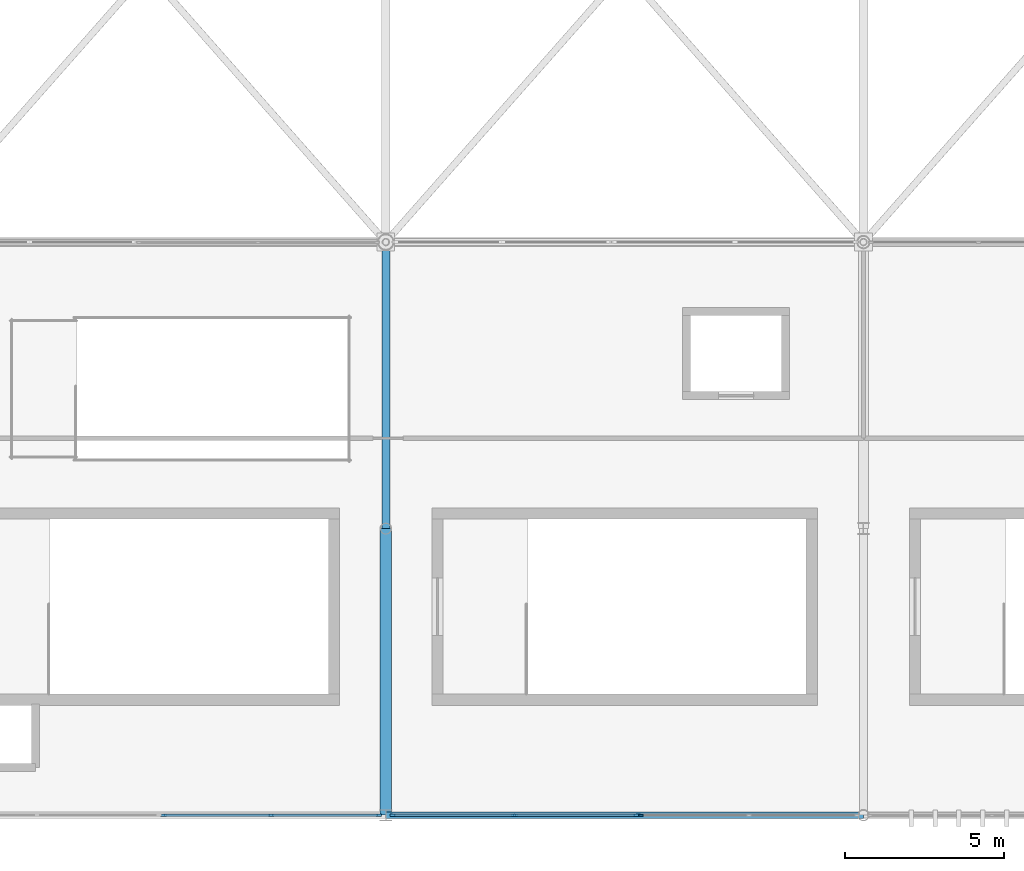
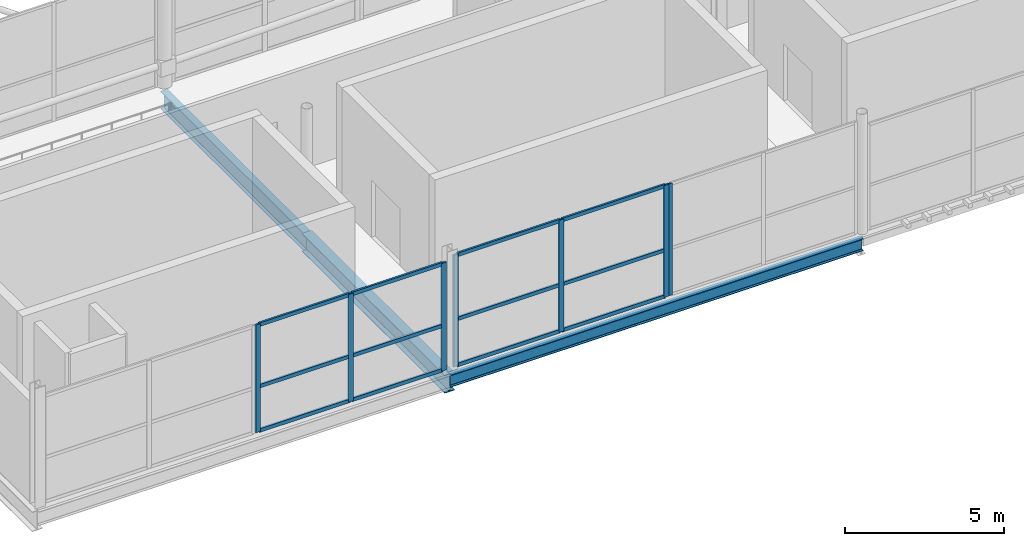
# One storey, part 43 of 224: 19 members, 3 beams, 3 elements without a shape of their own.
"""IFC4 building model written with IfcOpenShell, lengths in metres."""

from ifc_helpers import new_model, si_unit, direction, frame, origin, origin_2d, place, context, subcontext, project, spatial, rectangle, i_section, extrude, material, layer, layer_set, material_profile, profile_set, type_object, element, aggregate, save


model = new_model("IFC4")

# Units and contexts
model_context = context("Model", 3, precision=1e-05, world=origin(), true_north=direction((0.0, 1.0)))
body_context = subcontext(model_context, "Body", "Model", "MODEL_VIEW")
ifc_project = project(units=[si_unit("LENGTHUNIT", "METRE"), si_unit("AREAUNIT", "SQUARE_METRE"), si_unit("VOLUMEUNIT", "CUBIC_METRE"), si_unit("PLANEANGLEUNIT", "RADIAN"), si_unit("MASSUNIT", "GRAM", prefix="KILO")], contexts=[model_context])

# Site, building, storey
site_placement = place(None, origin())
site = spatial("IfcSite", under=ifc_project, at=site_placement, CompositionType="ELEMENT")
building_placement = place(site_placement, origin())
building = spatial("IfcBuilding", under=site, at=building_placement, Name="Qamarlyn Nura Convention Centre", CompositionType="ELEMENT")
storey_placement = place(building_placement, frame((0.0, 0.0, 10.800048828125)))
storey = spatial("IfcBuildingStorey", under=building, at=storey_placement, Name="L02", CompositionType="ELEMENT", Elevation=10.800048828125)

# Beams
ifc_material_1 = material(Name="Steel ASTM A992", Category="steel")
ifc_material_profile_1 = material_profile(ifc_material_1, i_section(OverallWidth=0.35498046875, OverallDepth=0.695068359375, WebThickness=0.015380859375, FlangeThickness=0.02490234375, FilletRadius=0.01806640625, at=origin_2d()), Name="W690X217")
ifc_profile_set_1 = profile_set([ifc_material_profile_1], Name="Steel ASTM A992")
beam_type_1 = type_object("IfcBeamType", Name="BM-GIRD-690A", PredefinedType="BEAM", material=ifc_profile_set_1)
beam_1_placement = place(storey_placement, frame((75.0, 0.0, -0.567626953125), z_axis=(0.0, 1.0, 0.0), x_axis=(-1.0, 0.0, 0.0)))
element("IfcBeam", 1, at=beam_1_placement, inside=storey, type_object=beam_type_1, Name="L02 girder 6 A-B", PredefinedType="BEAM", context=body_context, shape_type="SweptSolid", body=[
    extrude(i_section(OverallWidth=0.35498046875, OverallDepth=0.695068359375, WebThickness=0.015380859375, FlangeThickness=0.02490234375, FilletRadius=0.01806640625, at=origin_2d()), origin(), (0.0, 0.0, 1.0), 9.0),
])
ifc_material_profile_2 = material_profile(ifc_material_1, i_section(OverallWidth=0.25390625, OverallDepth=0.68408203125, WebThickness=0.012451171875, FlangeThickness=0.01904296875, FilletRadius=0.01806640625, at=origin_2d()), Name="W690X140")
ifc_profile_set_2 = profile_set([ifc_material_profile_2], Name="Steel ASTM A992")
beam_type_2 = type_object("IfcBeamType", Name="BM-GIRD-690B", PredefinedType="BEAM", material=ifc_profile_set_2)
beam_2_placement = place(storey_placement, frame((75.0, 9.0, -0.56201171875), z_axis=(0.0, 1.0, 0.0), x_axis=(-1.0, 0.0, 0.0)))
element("IfcBeam", 2, at=beam_2_placement, inside=storey, type_object=beam_type_2, Name="L02 girder 6 B-C", PredefinedType="BEAM", context=body_context, shape_type="SweptSolid", body=[
    extrude(i_section(OverallWidth=0.25390625, OverallDepth=0.68408203125, WebThickness=0.012451171875, FlangeThickness=0.01904296875, FilletRadius=0.01806640625, at=origin_2d()), origin(), (0.0, 0.0, 1.0), 9.0),
])
ifc_material_profile_3 = material_profile(ifc_material_1, i_section(OverallWidth=0.193115234375, OverallDepth=0.466064453125, WebThickness=0.011474609375, FlangeThickness=0.01904296875, FilletRadius=0.012939453125, at=origin_2d()), Name="W460X97")
ifc_profile_set_3 = profile_set([ifc_material_profile_3], Name="Steel ASTM A992")
beam_type_3 = type_object("IfcBeamType", Name="BM-SPAN-460", PredefinedType="SPANDREL", material=ifc_profile_set_3)
beam_3_placement = place(storey_placement, frame((75.0, 0.0, -0.453125), z_axis=(1.0, 0.0, 0.0), x_axis=(0.0, 1.0, 0.0)))
element("IfcBeam", 3, at=beam_3_placement, inside=storey, type_object=beam_type_3, Name="L02 girder A 6-7", PredefinedType="SPANDREL", context=body_context, shape_type="SweptSolid", body=[
    extrude(i_section(OverallWidth=0.193115234375, OverallDepth=0.466064453125, WebThickness=0.011474609375, FlangeThickness=0.01904296875, FilletRadius=0.012939453125, at=origin_2d()), origin(), (0.0, 0.0, 1.0), 15.0),
])

# Curtain wall, member
ifc_material_2 = material(Name="Double-silver low-E insulated glass", Category="glass")
ifc_layer_1 = layer(ifc_material_2, 0.179931640625, Name="CW-UNIT-27")
ifc_layer_set_1 = layer_set([ifc_layer_1], Name="Double-silver low-E insulated glass")
curtain_wall_type_1 = type_object("IfcCurtainWallType", Name="CW-UNIT-27", PredefinedType="NOTDEFINED", material=ifc_layer_set_1)
curtain_wall_1_placement = place(storey_placement, origin())
curtain_wall_1 = element("IfcCurtainWall", 4, at=curtain_wall_1_placement, inside=storey, type_object=curtain_wall_type_1, Name="L02 unitised curtain wall SF-S2-1A", PredefinedType="NOTDEFINED")
ifc_material_3 = material(Name="Champagne-anodised marine aluminium", Category="aluminium")
ifc_material_profile_4 = material_profile(ifc_material_3, rectangle(XDim=0.06005859375, YDim=0.139892578125, at=origin_2d()), Name="ALU MULLION 60x140")
ifc_profile_set_4 = profile_set([ifc_material_profile_4], Name="Champagne-anodised marine aluminium")
member_type_1 = type_object("IfcMemberType", Name="CWM-140", PredefinedType="MULLION", material=ifc_profile_set_4)
member_1_placement = place(storey_placement, frame((83.012451171875, 0.0, 0.0), z_axis=(0.0, 0.0, 1.0), x_axis=(0.0, -1.0, 0.0)))
member_1 = element("IfcMember", 5, at=member_1_placement, type_object=member_type_1, Name="CW27 mullion 3", PredefinedType="MULLION", context=body_context, shape_type="SweptSolid", body=[
    extrude(rectangle(XDim=0.06005859375, YDim=0.139892578125, at=origin_2d()), origin(), (0.0, 0.0, 1.0), 4.31005859375),
])
aggregate(curtain_wall_1, [member_1])

# Curtain wall, members
ifc_layer_2 = layer(ifc_material_2, 0.179931640625, Name="CW-UNIT-25")
ifc_layer_set_2 = layer_set([ifc_layer_2], Name="Double-silver low-E insulated glass")
curtain_wall_type_2 = type_object("IfcCurtainWallType", Name="CW-UNIT-25", PredefinedType="NOTDEFINED", material=ifc_layer_set_2)
curtain_wall_2_placement = place(storey_placement, origin())
curtain_wall_2 = element("IfcCurtainWall", 6, at=curtain_wall_2_placement, inside=storey, type_object=curtain_wall_type_2, Name="L02 unitised curtain wall SF-S1-1A", PredefinedType="NOTDEFINED")
ifc_material_profile_5 = material_profile(ifc_material_3, rectangle(XDim=0.070068359375, YDim=0.179931640625, at=origin_2d()), Name="ALU MULLION 70x180")
ifc_profile_set_5 = profile_set([ifc_material_profile_5], Name="Champagne-anodised marine aluminium")
member_type_2 = type_object("IfcMemberType", Name="CWM-180", PredefinedType="MULLION", material=ifc_profile_set_5)
member_2_placement = place(storey_placement, frame((74.780517578125, 0.0, 0.0), z_axis=(0.0, 0.0, 1.0), x_axis=(0.0, -1.0, 0.0)))
member_2 = element("IfcMember", 7, at=member_2_placement, type_object=member_type_2, Name="CW25 mullion 1", PredefinedType="MULLION", context=body_context, shape_type="SweptSolid", body=[
    extrude(rectangle(XDim=0.070068359375, YDim=0.179931640625, at=origin_2d()), origin(), (0.0, 0.0, 1.0), 4.14404296875),
])
member_3_placement = place(storey_placement, frame((71.397705078125, 0.0, 0.0), z_axis=(0.0, 0.0, 1.0), x_axis=(0.0, -1.0, 0.0)))
member_3 = element("IfcMember", 8, at=member_3_placement, type_object=member_type_2, Name="CW25 mullion 2", PredefinedType="MULLION", context=body_context, shape_type="SweptSolid", body=[
    extrude(rectangle(XDim=0.070068359375, YDim=0.179931640625, at=origin_2d()), origin(), (0.0, 0.0, 1.0), 4.14404296875),
])
member_4_placement = place(storey_placement, frame((68.01513671875, 0.0, 0.0), z_axis=(0.0, 0.0, 1.0), x_axis=(0.0, -1.0, 0.0)))
member_4 = element("IfcMember", 9, at=member_4_placement, type_object=member_type_2, Name="CW25 mullion 3", PredefinedType="MULLION", context=body_context, shape_type="SweptSolid", body=[
    extrude(rectangle(XDim=0.070068359375, YDim=0.179931640625, at=origin_2d()), origin(), (0.0, 0.0, 1.0), 4.14404296875),
])

ifc_layer_3 = layer(ifc_material_2, 0.179931640625, Name="CW-UNIT-28")
ifc_layer_set_3 = layer_set([ifc_layer_3], Name="Double-silver low-E insulated glass")
curtain_wall_type_3 = type_object("IfcCurtainWallType", Name="CW-UNIT-28", PredefinedType="NOTDEFINED", material=ifc_layer_set_3)
curtain_wall_3_placement = place(storey_placement, origin())
curtain_wall_3 = element("IfcCurtainWall", 10, at=curtain_wall_3_placement, inside=storey, type_object=curtain_wall_type_3, Name="L02 unitised curtain wall SF-S2-1B", PredefinedType="NOTDEFINED")
member_5_placement = place(storey_placement, frame((82.867431640625, 0.0, 0.0), z_axis=(0.0, 0.0, 1.0), x_axis=(0.0, -1.0, 0.0)))
member_5 = element("IfcMember", 11, at=member_5_placement, type_object=member_type_2, Name="CW28 mullion 1", PredefinedType="MULLION", context=body_context, shape_type="SweptSolid", body=[
    extrude(rectangle(XDim=0.070068359375, YDim=0.179931640625, at=origin_2d()), origin(), (0.0, 0.0, 1.0), 4.31005859375),
])
member_6_placement = place(storey_placement, frame((79.04345703125, 0.0, 0.0), z_axis=(0.0, 0.0, 1.0), x_axis=(0.0, -1.0, 0.0)))
member_6 = element("IfcMember", 12, at=member_6_placement, type_object=member_type_2, Name="CW28 mullion 2", PredefinedType="MULLION", context=body_context, shape_type="SweptSolid", body=[
    extrude(rectangle(XDim=0.070068359375, YDim=0.179931640625, at=origin_2d()), origin(), (0.0, 0.0, 1.0), 4.31005859375),
])
member_7_placement = place(storey_placement, frame((75.219482421875, 0.0, 0.0), z_axis=(0.0, 0.0, 1.0), x_axis=(0.0, -1.0, 0.0)))
member_7 = element("IfcMember", 13, at=member_7_placement, type_object=member_type_2, Name="CW28 mullion 3", PredefinedType="MULLION", context=body_context, shape_type="SweptSolid", body=[
    extrude(rectangle(XDim=0.070068359375, YDim=0.179931640625, at=origin_2d()), origin(), (0.0, 0.0, 1.0), 4.31005859375),
])

# Member
ifc_material_profile_6 = material_profile(ifc_material_3, rectangle(XDim=0.070068359375, YDim=0.139892578125, at=origin_2d()), Name="ALU TRANSOM 70x140")
ifc_profile_set_6 = profile_set([ifc_material_profile_6], Name="Champagne-anodised marine aluminium")
member_type_3 = type_object("IfcMemberType", Name="CWT-140", PredefinedType="USERDEFINED", material=ifc_profile_set_6)
member_8_placement = place(storey_placement, frame((74.74560546875, 0.0, 0.034912109375), z_axis=(-1.0, 0.0, 0.0), x_axis=(0.0, -1.0, 0.0)))
member_8 = element("IfcMember", 14, at=member_8_placement, type_object=member_type_3, Name="CW25 transom 1.1", ObjectType="TRANSOM", PredefinedType="USERDEFINED", context=body_context, shape_type="SweptSolid", body=[
    extrude(rectangle(XDim=0.070068359375, YDim=0.139892578125, at=origin_2d()), origin(), (0.0, 0.0, 1.0), 3.312744140625),
])

member_9_placement = place(storey_placement, frame((74.74560546875, 0.0, 1.739990234375), z_axis=(-1.0, 0.0, 0.0), x_axis=(0.0, -1.0, 0.0)))
member_9 = element("IfcMember", 15, at=member_9_placement, type_object=member_type_3, Name="CW25 transom 1.2", ObjectType="TRANSOM", PredefinedType="USERDEFINED", context=body_context, shape_type="SweptSolid", body=[
    extrude(rectangle(XDim=0.070068359375, YDim=0.139892578125, at=origin_2d()), origin(), (0.0, 0.0, 1.0), 3.312744140625),
])

member_10_placement = place(storey_placement, frame((74.74560546875, 0.0, 4.10888671875), z_axis=(-1.0, 0.0, 0.0), x_axis=(0.0, -1.0, 0.0)))
member_10 = element("IfcMember", 16, at=member_10_placement, type_object=member_type_3, Name="CW25 transom 1.3", ObjectType="TRANSOM", PredefinedType="USERDEFINED", context=body_context, shape_type="SweptSolid", body=[
    extrude(rectangle(XDim=0.070068359375, YDim=0.139892578125, at=origin_2d()), origin(), (0.0, 0.0, 1.0), 3.312744140625),
])

member_11_placement = place(storey_placement, frame((71.36279296875, 0.0, 0.034912109375), z_axis=(-1.0, 0.0, 0.0), x_axis=(0.0, -1.0, 0.0)))
member_11 = element("IfcMember", 17, at=member_11_placement, type_object=member_type_3, Name="CW25 transom 2.1", ObjectType="TRANSOM", PredefinedType="USERDEFINED", context=body_context, shape_type="SweptSolid", body=[
    extrude(rectangle(XDim=0.070068359375, YDim=0.139892578125, at=origin_2d()), origin(), (0.0, 0.0, 1.0), 3.312744140625),
])

member_12_placement = place(storey_placement, frame((71.36279296875, 0.0, 1.739990234375), z_axis=(-1.0, 0.0, 0.0), x_axis=(0.0, -1.0, 0.0)))
member_12 = element("IfcMember", 18, at=member_12_placement, type_object=member_type_3, Name="CW25 transom 2.2", ObjectType="TRANSOM", PredefinedType="USERDEFINED", context=body_context, shape_type="SweptSolid", body=[
    extrude(rectangle(XDim=0.070068359375, YDim=0.139892578125, at=origin_2d()), origin(), (0.0, 0.0, 1.0), 3.312744140625),
])

member_13_placement = place(storey_placement, frame((71.36279296875, 0.0, 4.10888671875), z_axis=(-1.0, 0.0, 0.0), x_axis=(0.0, -1.0, 0.0)))
member_13 = element("IfcMember", 19, at=member_13_placement, type_object=member_type_3, Name="CW25 transom 2.3", ObjectType="TRANSOM", PredefinedType="USERDEFINED", context=body_context, shape_type="SweptSolid", body=[
    extrude(rectangle(XDim=0.070068359375, YDim=0.139892578125, at=origin_2d()), origin(), (0.0, 0.0, 1.0), 3.312744140625),
])

aggregate(curtain_wall_2, [member_2, member_3, member_4, member_8, member_9, member_10, member_11, member_12, member_13])

member_14_placement = place(storey_placement, frame((82.83251953125, 0.0, 0.034912109375), z_axis=(-1.0, 0.0, 0.0), x_axis=(0.0, -1.0, 0.0)))
member_14 = element("IfcMember", 20, at=member_14_placement, type_object=member_type_3, Name="CW28 transom 1.1", ObjectType="TRANSOM", PredefinedType="USERDEFINED", context=body_context, shape_type="SweptSolid", body=[
    extrude(rectangle(XDim=0.070068359375, YDim=0.139892578125, at=origin_2d()), origin(), (0.0, 0.0, 1.0), 3.75390625),
])

member_15_placement = place(storey_placement, frame((82.83251953125, 0.0, 1.81005859375), z_axis=(-1.0, 0.0, 0.0), x_axis=(0.0, -1.0, 0.0)))
member_15 = element("IfcMember", 21, at=member_15_placement, type_object=member_type_3, Name="CW28 transom 1.2", ObjectType="TRANSOM", PredefinedType="USERDEFINED", context=body_context, shape_type="SweptSolid", body=[
    extrude(rectangle(XDim=0.070068359375, YDim=0.139892578125, at=origin_2d()), origin(), (0.0, 0.0, 1.0), 3.75390625),
])

member_16_placement = place(storey_placement, frame((82.83251953125, 0.0, 4.27490234375), z_axis=(-1.0, 0.0, 0.0), x_axis=(0.0, -1.0, 0.0)))
member_16 = element("IfcMember", 22, at=member_16_placement, type_object=member_type_3, Name="CW28 transom 1.3", ObjectType="TRANSOM", PredefinedType="USERDEFINED", context=body_context, shape_type="SweptSolid", body=[
    extrude(rectangle(XDim=0.070068359375, YDim=0.139892578125, at=origin_2d()), origin(), (0.0, 0.0, 1.0), 3.75390625),
])

member_17_placement = place(storey_placement, frame((79.008544921875, 0.0, 0.034912109375), z_axis=(-1.0, 0.0, 0.0), x_axis=(0.0, -1.0, 0.0)))
member_17 = element("IfcMember", 23, at=member_17_placement, type_object=member_type_3, Name="CW28 transom 2.1", ObjectType="TRANSOM", PredefinedType="USERDEFINED", context=body_context, shape_type="SweptSolid", body=[
    extrude(rectangle(XDim=0.070068359375, YDim=0.139892578125, at=origin_2d()), origin(), (0.0, 0.0, 1.0), 3.754150390625),
])

member_18_placement = place(storey_placement, frame((79.008544921875, 0.0, 1.81005859375), z_axis=(-1.0, 0.0, 0.0), x_axis=(0.0, -1.0, 0.0)))
member_18 = element("IfcMember", 24, at=member_18_placement, type_object=member_type_3, Name="CW28 transom 2.2", ObjectType="TRANSOM", PredefinedType="USERDEFINED", context=body_context, shape_type="SweptSolid", body=[
    extrude(rectangle(XDim=0.070068359375, YDim=0.139892578125, at=origin_2d()), origin(), (0.0, 0.0, 1.0), 3.754150390625),
])

member_19_placement = place(storey_placement, frame((79.008544921875, 0.0, 4.27490234375), z_axis=(-1.0, 0.0, 0.0), x_axis=(0.0, -1.0, 0.0)))
member_19 = element("IfcMember", 25, at=member_19_placement, type_object=member_type_3, Name="CW28 transom 2.3", ObjectType="TRANSOM", PredefinedType="USERDEFINED", context=body_context, shape_type="SweptSolid", body=[
    extrude(rectangle(XDim=0.070068359375, YDim=0.139892578125, at=origin_2d()), origin(), (0.0, 0.0, 1.0), 3.754150390625),
])

aggregate(curtain_wall_3, [member_5, member_6, member_7, member_14, member_15, member_16, member_17, member_18, member_19])

save(model, "model.ifc")
